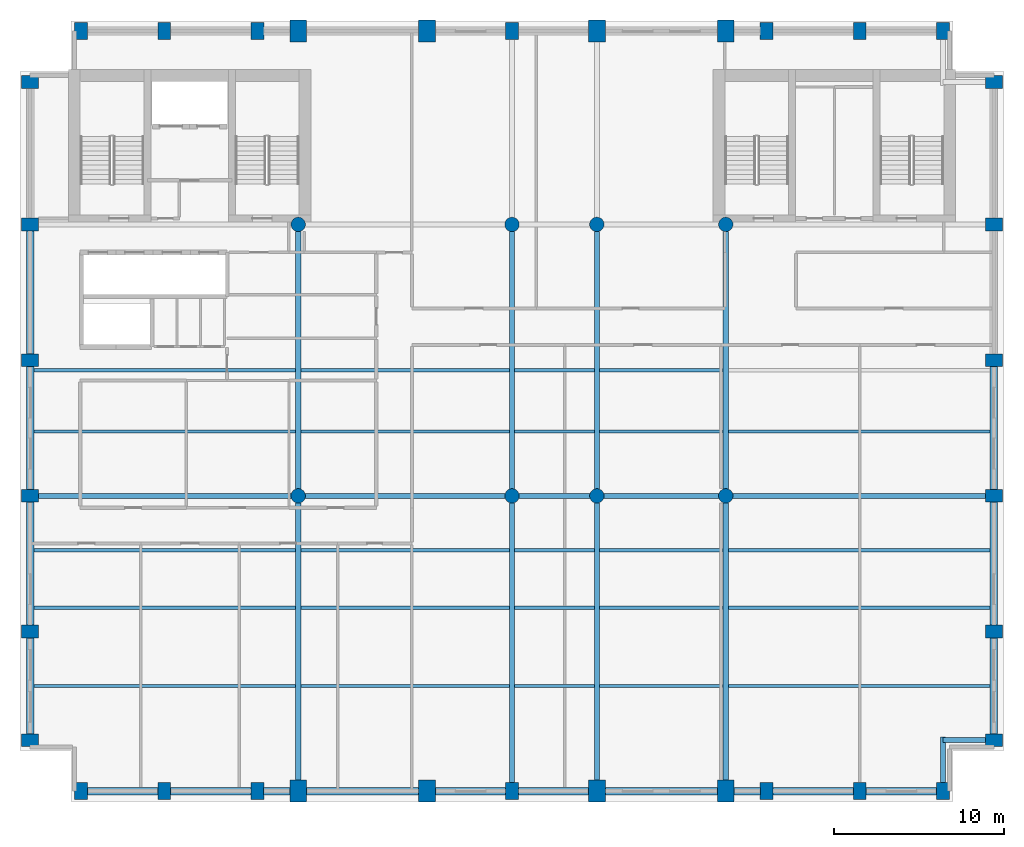
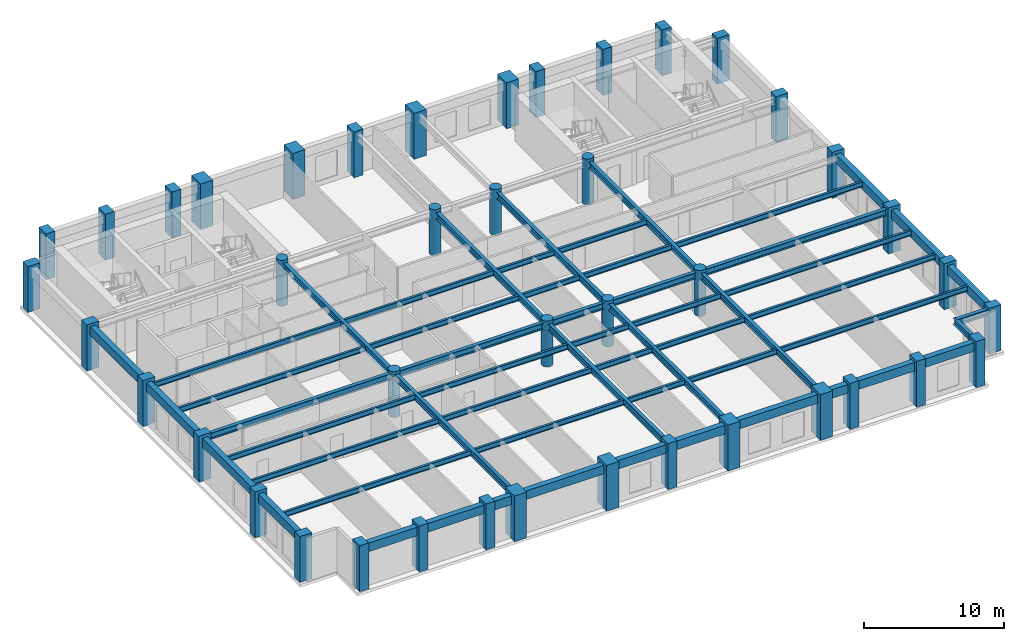
# One storey, part 1 of 8: 56 beams, 42 columns.
"""IFC4 building model written with IfcOpenShell, lengths in metres."""

from ifc_helpers import new_model, si_unit, direction, frame, origin, origin_2d, place, context, subcontext, project, spatial, rectangle, circle, i_section, extrude, material, material_profile, profile_set, type_object, element, save


model = new_model("IFC4")

# Units and contexts
model_context = context("Model", 3, precision=1e-05, world=origin(), true_north=direction((0.0, 1.0)))
body_context = subcontext(model_context, "Body", "Model", "MODEL_VIEW")
ifc_project = project(units=[si_unit("LENGTHUNIT", "METRE"), si_unit("AREAUNIT", "SQUARE_METRE"), si_unit("VOLUMEUNIT", "CUBIC_METRE"), si_unit("PLANEANGLEUNIT", "RADIAN"), si_unit("MASSUNIT", "GRAM", prefix="KILO")], contexts=[model_context])

# Site, building, storey
site_placement = place(None, origin())
site = spatial("IfcSite", under=ifc_project, at=site_placement, CompositionType="ELEMENT")
building_placement = place(site_placement, origin())
building = spatial("IfcBuilding", under=site, at=building_placement, Name="Sulina Concourse Tower", CompositionType="ELEMENT")
storey_placement = place(building_placement, frame((0.0, 0.0, 248.60009765625)))
storey = spatial("IfcBuildingStorey", under=building, at=storey_placement, Name="L60", CompositionType="ELEMENT", Elevation=248.60009765625)

# Columns
ifc_material_1 = material(Name="Precast concrete C50/60", Category="concrete")
ifc_material_profile_1 = material_profile(ifc_material_1, rectangle(XDim=0.75, YDim=1.0, at=origin_2d()), Name="PC 750x1000")
ifc_profile_set_1 = profile_set([ifc_material_profile_1], Name="Precast concrete C50/60")
column_type_1 = type_object("IfcColumnType", Name="Precast Tube Pier Zone 4 750x1000", PredefinedType="COLUMN", material=ifc_profile_set_1)
for number, where, z_axis, x_axis, name in (
    (1, (3.60009765625, 0.60009765625, 0.0), (0.0, 0.0, 1.0), (1.0, 0.0, 0.0), "L60 structural column TP-S-36"),
    (2, (3.60009765625, 45.39990234375, 0.0), (0.0, 0.0, 1.0), (1.0, 0.0, 0.0), "L60 structural column TP-N-36"),
    (3, (8.5, 0.60009765625, 0.0), (0.0, 0.0, 1.0), (1.0, 0.0, 0.0), "L60 structural column TP-S-85"),
    (4, (8.5, 45.39990234375, 0.0), (0.0, 0.0, 1.0), (1.0, 0.0, 0.0), "L60 structural column TP-N-85"),
    (5, (14.0, 0.60009765625, 0.0), (0.0, 0.0, 1.0), (1.0, 0.0, 0.0), "L60 structural column TP-S-140"),
    (6, (14.0, 45.39990234375, 0.0), (0.0, 0.0, 1.0), (1.0, 0.0, 0.0), "L60 structural column TP-N-140"),
    (7, (29.0, 0.60009765625, 0.0), (0.0, 0.0, 1.0), (1.0, 0.0, 0.0), "L60 structural column TP-S-290"),
    (8, (29.0, 45.39990234375, 0.0), (0.0, 0.0, 1.0), (1.0, 0.0, 0.0), "L60 structural column TP-N-290"),
    (9, (44.0, 0.60009765625, 0.0), (0.0, 0.0, 1.0), (1.0, 0.0, 0.0), "L60 structural column TP-S-440"),
    (10, (44.0, 45.39990234375, 0.0), (0.0, 0.0, 1.0), (1.0, 0.0, 0.0), "L60 structural column TP-N-440"),
    (11, (49.5, 0.60009765625, 0.0), (0.0, 0.0, 1.0), (1.0, 0.0, 0.0), "L60 structural column TP-S-495"),
    (12, (49.5, 45.39990234375, 0.0), (0.0, 0.0, 1.0), (1.0, 0.0, 0.0), "L60 structural column TP-N-495"),
    (13, (54.39990234375, 0.60009765625, 0.0), (0.0, 0.0, 1.0), (1.0, 0.0, 0.0), "L60 structural column TP-S-544"),
    (14, (54.39990234375, 45.39990234375, 0.0), (0.0, 0.0, 1.0), (1.0, 0.0, 0.0), "L60 structural column TP-N-544"),
    (15, (0.60009765625, 3.60009765625, 0.0), (0.0, 0.0, 1.0), (0.0, 1.0, 0.0), "L60 structural column TP-W-36"),
    (16, (57.39990234375, 3.60009765625, 0.0), (0.0, 0.0, 1.0), (0.0, 1.0, 0.0), "L60 structural column TP-E-36"),
    (17, (0.60009765625, 10.0, 0.0), (0.0, 0.0, 1.0), (0.0, 1.0, 0.0), "L60 structural column TP-W-100"),
    (18, (57.39990234375, 10.0, 0.0), (0.0, 0.0, 1.0), (0.0, 1.0, 0.0), "L60 structural column TP-E-100"),
    (19, (0.60009765625, 18.0, 0.0), (0.0, 0.0, 1.0), (0.0, 1.0, 0.0), "L60 structural column TP-W-180"),
    (20, (57.39990234375, 18.0, 0.0), (0.0, 0.0, 1.0), (0.0, 1.0, 0.0), "L60 structural column TP-E-180"),
    (21, (0.60009765625, 26.0, 0.0), (0.0, 0.0, 1.0), (0.0, 1.0, 0.0), "L60 structural column TP-W-260"),
    (22, (57.39990234375, 26.0, 0.0), (0.0, 0.0, 1.0), (0.0, 1.0, 0.0), "L60 structural column TP-E-260"),
    (23, (0.60009765625, 34.0, 0.0), (0.0, 0.0, 1.0), (0.0, 1.0, 0.0), "L60 structural column TP-W-340"),
    (24, (57.39990234375, 34.0, 0.0), (0.0, 0.0, 1.0), (0.0, 1.0, 0.0), "L60 structural column TP-E-340"),
    (25, (0.60009765625, 42.39990234375, 0.0), (0.0, 0.0, 1.0), (0.0, 1.0, 0.0), "L60 structural column TP-W-424"),
    (26, (57.39990234375, 42.39990234375, 0.0), (0.0, 0.0, 1.0), (0.0, 1.0, 0.0), "L60 structural column TP-E-424"),
):
    element("IfcColumn", number, at=place(storey_placement, frame(where, z_axis=z_axis, x_axis=x_axis)), inside=storey, type_object=column_type_1, Name=name, PredefinedType="COLUMN", context=body_context, shape_type="SweptSolid", body=[
        extrude(rectangle(XDim=0.75, YDim=1.0, at=origin_2d()), origin(), (0.0, 0.0, 1.0), 4.0),
    ])
ifc_material_2 = material(Name="Concrete C50/60", Category="concrete")
ifc_material_profile_2 = material_profile(ifc_material_2, circle(Radius=0.425048828125, at=origin_2d()), Name="RC D850")
ifc_profile_set_2 = profile_set([ifc_material_profile_2], Name="Concrete C50/60")
column_type_2 = type_object("IfcColumnType", Name="Upper Interior Circular Column D850", PredefinedType="COLUMN", material=ifc_profile_set_2)
for number, where, z_axis, x_axis, name in (
    (27, (16.39990234375, 18.0, 0.0), (0.0, 0.0, 1.0), (1.0, 0.0, 0.0), "L60 structural column IC-M-164"),
    (28, (16.39990234375, 34.0, 0.0), (0.0, 0.0, 1.0), (1.0, 0.0, 0.0), "L60 structural column IC-N-164"),
    (29, (29.0, 18.0, 0.0), (0.0, 0.0, 1.0), (1.0, 0.0, 0.0), "L60 structural column IC-M-290"),
    (30, (29.0, 34.0, 0.0), (0.0, 0.0, 1.0), (1.0, 0.0, 0.0), "L60 structural column IC-N-290"),
    (31, (41.60009765625, 18.0, 0.0), (0.0, 0.0, 1.0), (1.0, 0.0, 0.0), "L60 structural column IC-M-416"),
    (32, (41.60009765625, 34.0, 0.0), (0.0, 0.0, 1.0), (1.0, 0.0, 0.0), "L60 structural column IC-N-416"),
    (33, (34.0, 18.0, 0.0), (0.0, 0.0, 1.0), (1.0, 0.0, 0.0), "L60 structural column IC-M-340"),
    (34, (34.0, 34.0, 0.0), (0.0, 0.0, 1.0), (1.0, 0.0, 0.0), "L60 structural column IC-N-340"),
):
    element("IfcColumn", number, at=place(storey_placement, frame(where, z_axis=z_axis, x_axis=x_axis)), inside=storey, type_object=column_type_2, Name=name, PredefinedType="COLUMN", context=body_context, shape_type="SweptSolid", body=[
        extrude(circle(Radius=0.425048828125, at=origin_2d()), origin(), (0.0, 0.0, 1.0), 4.0),
    ])
ifc_material_3 = material(Name="Concrete C60/75", Category="concrete")
ifc_material_profile_3 = material_profile(ifc_material_3, rectangle(XDim=1.0, YDim=1.300048828125, at=origin_2d()), Name="RC 1000x1300")
ifc_profile_set_3 = profile_set([ifc_material_profile_3], Name="Concrete C60/75")
column_type_3 = type_object("IfcColumnType", Name="Upper Portal Column 1000x1300", PredefinedType="COLUMN", material=ifc_profile_set_3)
for number, where, z_axis, x_axis, name in (
    (35, (16.39990234375, 0.60009765625, 0.0), (0.0, 0.0, 1.0), (1.0, 0.0, 0.0), "L60 structural column TP-S-164"),
    (36, (16.39990234375, 45.39990234375, 0.0), (0.0, 0.0, 1.0), (1.0, 0.0, 0.0), "L60 structural column TP-N-164"),
    (37, (24.0, 0.60009765625, 0.0), (0.0, 0.0, 1.0), (1.0, 0.0, 0.0), "L60 structural column TP-S-240"),
    (38, (24.0, 45.39990234375, 0.0), (0.0, 0.0, 1.0), (1.0, 0.0, 0.0), "L60 structural column TP-N-240"),
    (39, (34.0, 0.60009765625, 0.0), (0.0, 0.0, 1.0), (1.0, 0.0, 0.0), "L60 structural column TP-S-340"),
    (40, (34.0, 45.39990234375, 0.0), (0.0, 0.0, 1.0), (1.0, 0.0, 0.0), "L60 structural column TP-N-340"),
    (41, (41.60009765625, 0.60009765625, 0.0), (0.0, 0.0, 1.0), (1.0, 0.0, 0.0), "L60 structural column TP-S-416"),
    (42, (41.60009765625, 45.39990234375, 0.0), (0.0, 0.0, 1.0), (1.0, 0.0, 0.0), "L60 structural column TP-N-416"),
):
    element("IfcColumn", number, at=place(storey_placement, frame(where, z_axis=z_axis, x_axis=x_axis)), inside=storey, type_object=column_type_3, Name=name, PredefinedType="COLUMN", context=body_context, shape_type="SweptSolid", body=[
        extrude(rectangle(XDim=1.0, YDim=1.300048828125, at=origin_2d()), origin(), (0.0, 0.0, 1.0), 4.0),
    ])

# Beams
ifc_material_4 = material(Name="Steel S355", Category="steel")
ifc_material_profile_4 = material_profile(ifc_material_4, i_section(OverallWidth=0.18994140625, OverallDepth=0.449951171875, WebThickness=0.009521484375, FlangeThickness=0.0146484375, at=origin_2d()), Name="IPE 450")
ifc_profile_set_4 = profile_set([ifc_material_profile_4], Name="Steel S355")
beam_type_1 = type_object("IfcBeamType", Name="Composite Floor Joist IPE450", PredefinedType="JOIST", material=ifc_profile_set_4)
beam_1_placement = place(storey_placement, frame((0.824951171875, 6.800048828125, 3.52490234375), z_axis=(1.0, 0.0, 0.0), x_axis=(0.0, 1.0, 0.0)))
element("IfcBeam", 43, at=beam_1_placement, inside=storey, type_object=beam_type_1, Name="FJ-J06-1-L60", PredefinedType="JOIST", context=body_context, shape_type="SweptSolid", body=[
    extrude(i_section(OverallWidth=0.18994140625, OverallDepth=0.449951171875, WebThickness=0.009521484375, FlangeThickness=0.0146484375, at=origin_2d()), origin(), (0.0, 0.0, 1.0), 15.425048828125),
])
beam_2_placement = place(storey_placement, frame((16.550048828125, 6.800048828125, 3.52490234375), z_axis=(1.0, 0.0, 0.0), x_axis=(0.0, 1.0, 0.0)))
element("IfcBeam", 44, at=beam_2_placement, inside=storey, type_object=beam_type_1, Name="FJ-J06-2-L60", PredefinedType="JOIST", context=body_context, shape_type="SweptSolid", body=[
    extrude(i_section(OverallWidth=0.18994140625, OverallDepth=0.449951171875, WebThickness=0.009521484375, FlangeThickness=0.0146484375, at=origin_2d()), origin(), (0.0, 0.0, 1.0), 12.300048828125),
])
beam_3_placement = place(storey_placement, frame((29.14990234375, 6.800048828125, 3.52490234375), z_axis=(1.0, 0.0, 0.0), x_axis=(0.0, 1.0, 0.0)))
element("IfcBeam", 45, at=beam_3_placement, inside=storey, type_object=beam_type_1, Name="FJ-J06-3-L60", PredefinedType="JOIST", context=body_context, shape_type="SweptSolid", body=[
    extrude(i_section(OverallWidth=0.18994140625, OverallDepth=0.449951171875, WebThickness=0.009521484375, FlangeThickness=0.0146484375, at=origin_2d()), origin(), (0.0, 0.0, 1.0), 4.7001953125),
])
beam_4_placement = place(storey_placement, frame((34.14990234375, 6.800048828125, 3.52490234375), z_axis=(1.0, 0.0, 0.0), x_axis=(0.0, 1.0, 0.0)))
element("IfcBeam", 46, at=beam_4_placement, inside=storey, type_object=beam_type_1, Name="FJ-J06-4-L60", PredefinedType="JOIST", context=body_context, shape_type="SweptSolid", body=[
    extrude(i_section(OverallWidth=0.18994140625, OverallDepth=0.449951171875, WebThickness=0.009521484375, FlangeThickness=0.0146484375, at=origin_2d()), origin(), (0.0, 0.0, 1.0), 7.300048828125),
])
for number, where, z_axis, x_axis, name in (
    (47, (41.75, 6.800048828125, 3.52490234375), (1.0, 0.0, 0.0), (0.0, 1.0, 0.0), "FJ-J06-5-L60"),
    (48, (0.824951171875, 11.39990234375, 3.52490234375), (1.0, 0.0, 0.0), (0.0, 1.0, 0.0), "FJ-J11-1-L60"),
):
    element("IfcBeam", number, at=place(storey_placement, frame(where, z_axis=z_axis, x_axis=x_axis)), inside=storey, type_object=beam_type_1, Name=name, PredefinedType="JOIST", context=body_context, shape_type="SweptSolid", body=[
        extrude(i_section(OverallWidth=0.18994140625, OverallDepth=0.449951171875, WebThickness=0.009521484375, FlangeThickness=0.0146484375, at=origin_2d()), origin(), (0.0, 0.0, 1.0), 15.425048828125),
    ])
beam_5_placement = place(storey_placement, frame((16.550048828125, 11.39990234375, 3.52490234375), z_axis=(1.0, 0.0, 0.0), x_axis=(0.0, 1.0, 0.0)))
element("IfcBeam", 49, at=beam_5_placement, inside=storey, type_object=beam_type_1, Name="FJ-J11-2-L60", PredefinedType="JOIST", context=body_context, shape_type="SweptSolid", body=[
    extrude(i_section(OverallWidth=0.18994140625, OverallDepth=0.449951171875, WebThickness=0.009521484375, FlangeThickness=0.0146484375, at=origin_2d()), origin(), (0.0, 0.0, 1.0), 12.300048828125),
])
beam_6_placement = place(storey_placement, frame((29.14990234375, 11.39990234375, 3.52490234375), z_axis=(1.0, 0.0, 0.0), x_axis=(0.0, 1.0, 0.0)))
element("IfcBeam", 50, at=beam_6_placement, inside=storey, type_object=beam_type_1, Name="FJ-J11-3-L60", PredefinedType="JOIST", context=body_context, shape_type="SweptSolid", body=[
    extrude(i_section(OverallWidth=0.18994140625, OverallDepth=0.449951171875, WebThickness=0.009521484375, FlangeThickness=0.0146484375, at=origin_2d()), origin(), (0.0, 0.0, 1.0), 4.7001953125),
])
beam_7_placement = place(storey_placement, frame((34.14990234375, 11.39990234375, 3.52490234375), z_axis=(1.0, 0.0, 0.0), x_axis=(0.0, 1.0, 0.0)))
element("IfcBeam", 51, at=beam_7_placement, inside=storey, type_object=beam_type_1, Name="FJ-J11-4-L60", PredefinedType="JOIST", context=body_context, shape_type="SweptSolid", body=[
    extrude(i_section(OverallWidth=0.18994140625, OverallDepth=0.449951171875, WebThickness=0.009521484375, FlangeThickness=0.0146484375, at=origin_2d()), origin(), (0.0, 0.0, 1.0), 7.300048828125),
])
for number, where, z_axis, x_axis, name in (
    (52, (41.75, 11.39990234375, 3.52490234375), (1.0, 0.0, 0.0), (0.0, 1.0, 0.0), "FJ-J11-5-L60"),
    (53, (0.824951171875, 14.800048828125, 3.52490234375), (1.0, 0.0, 0.0), (0.0, 1.0, 0.0), "FJ-J15-1-L60"),
):
    element("IfcBeam", number, at=place(storey_placement, frame(where, z_axis=z_axis, x_axis=x_axis)), inside=storey, type_object=beam_type_1, Name=name, PredefinedType="JOIST", context=body_context, shape_type="SweptSolid", body=[
        extrude(i_section(OverallWidth=0.18994140625, OverallDepth=0.449951171875, WebThickness=0.009521484375, FlangeThickness=0.0146484375, at=origin_2d()), origin(), (0.0, 0.0, 1.0), 15.425048828125),
    ])
beam_8_placement = place(storey_placement, frame((16.550048828125, 14.800048828125, 3.52490234375), z_axis=(1.0, 0.0, 0.0), x_axis=(0.0, 1.0, 0.0)))
element("IfcBeam", 54, at=beam_8_placement, inside=storey, type_object=beam_type_1, Name="FJ-J15-2-L60", PredefinedType="JOIST", context=body_context, shape_type="SweptSolid", body=[
    extrude(i_section(OverallWidth=0.18994140625, OverallDepth=0.449951171875, WebThickness=0.009521484375, FlangeThickness=0.0146484375, at=origin_2d()), origin(), (0.0, 0.0, 1.0), 12.300048828125),
])
beam_9_placement = place(storey_placement, frame((29.14990234375, 14.800048828125, 3.52490234375), z_axis=(1.0, 0.0, 0.0), x_axis=(0.0, 1.0, 0.0)))
element("IfcBeam", 55, at=beam_9_placement, inside=storey, type_object=beam_type_1, Name="FJ-J15-3-L60", PredefinedType="JOIST", context=body_context, shape_type="SweptSolid", body=[
    extrude(i_section(OverallWidth=0.18994140625, OverallDepth=0.449951171875, WebThickness=0.009521484375, FlangeThickness=0.0146484375, at=origin_2d()), origin(), (0.0, 0.0, 1.0), 4.7001953125),
])
beam_10_placement = place(storey_placement, frame((34.14990234375, 14.800048828125, 3.52490234375), z_axis=(1.0, 0.0, 0.0), x_axis=(0.0, 1.0, 0.0)))
element("IfcBeam", 56, at=beam_10_placement, inside=storey, type_object=beam_type_1, Name="FJ-J15-4-L60", PredefinedType="JOIST", context=body_context, shape_type="SweptSolid", body=[
    extrude(i_section(OverallWidth=0.18994140625, OverallDepth=0.449951171875, WebThickness=0.009521484375, FlangeThickness=0.0146484375, at=origin_2d()), origin(), (0.0, 0.0, 1.0), 7.300048828125),
])
for number, where, z_axis, x_axis, name in (
    (57, (41.75, 14.800048828125, 3.52490234375), (1.0, 0.0, 0.0), (0.0, 1.0, 0.0), "FJ-J15-5-L60"),
    (58, (0.824951171875, 21.800048828125, 3.52490234375), (1.0, 0.0, 0.0), (0.0, 1.0, 0.0), "FJ-J22-1-L60"),
):
    element("IfcBeam", number, at=place(storey_placement, frame(where, z_axis=z_axis, x_axis=x_axis)), inside=storey, type_object=beam_type_1, Name=name, PredefinedType="JOIST", context=body_context, shape_type="SweptSolid", body=[
        extrude(i_section(OverallWidth=0.18994140625, OverallDepth=0.449951171875, WebThickness=0.009521484375, FlangeThickness=0.0146484375, at=origin_2d()), origin(), (0.0, 0.0, 1.0), 15.425048828125),
    ])
beam_11_placement = place(storey_placement, frame((16.550048828125, 21.800048828125, 3.52490234375), z_axis=(1.0, 0.0, 0.0), x_axis=(0.0, 1.0, 0.0)))
element("IfcBeam", 59, at=beam_11_placement, inside=storey, type_object=beam_type_1, Name="FJ-J22-2-L60", PredefinedType="JOIST", context=body_context, shape_type="SweptSolid", body=[
    extrude(i_section(OverallWidth=0.18994140625, OverallDepth=0.449951171875, WebThickness=0.009521484375, FlangeThickness=0.0146484375, at=origin_2d()), origin(), (0.0, 0.0, 1.0), 12.300048828125),
])
beam_12_placement = place(storey_placement, frame((29.14990234375, 21.800048828125, 3.52490234375), z_axis=(1.0, 0.0, 0.0), x_axis=(0.0, 1.0, 0.0)))
element("IfcBeam", 60, at=beam_12_placement, inside=storey, type_object=beam_type_1, Name="FJ-J22-3-L60", PredefinedType="JOIST", context=body_context, shape_type="SweptSolid", body=[
    extrude(i_section(OverallWidth=0.18994140625, OverallDepth=0.449951171875, WebThickness=0.009521484375, FlangeThickness=0.0146484375, at=origin_2d()), origin(), (0.0, 0.0, 1.0), 4.7001953125),
])
beam_13_placement = place(storey_placement, frame((34.14990234375, 21.800048828125, 3.52490234375), z_axis=(1.0, 0.0, 0.0), x_axis=(0.0, 1.0, 0.0)))
element("IfcBeam", 61, at=beam_13_placement, inside=storey, type_object=beam_type_1, Name="FJ-J22-4-L60", PredefinedType="JOIST", context=body_context, shape_type="SweptSolid", body=[
    extrude(i_section(OverallWidth=0.18994140625, OverallDepth=0.449951171875, WebThickness=0.009521484375, FlangeThickness=0.0146484375, at=origin_2d()), origin(), (0.0, 0.0, 1.0), 7.300048828125),
])
for number, where, z_axis, x_axis, name in (
    (62, (41.75, 21.800048828125, 3.52490234375), (1.0, 0.0, 0.0), (0.0, 1.0, 0.0), "FJ-J22-5-L60"),
    (63, (0.824951171875, 25.39990234375, 3.52490234375), (1.0, 0.0, 0.0), (0.0, 1.0, 0.0), "FJ-J25-1-L60"),
):
    element("IfcBeam", number, at=place(storey_placement, frame(where, z_axis=z_axis, x_axis=x_axis)), inside=storey, type_object=beam_type_1, Name=name, PredefinedType="JOIST", context=body_context, shape_type="SweptSolid", body=[
        extrude(i_section(OverallWidth=0.18994140625, OverallDepth=0.449951171875, WebThickness=0.009521484375, FlangeThickness=0.0146484375, at=origin_2d()), origin(), (0.0, 0.0, 1.0), 15.425048828125),
    ])
beam_14_placement = place(storey_placement, frame((16.550048828125, 25.39990234375, 3.52490234375), z_axis=(1.0, 0.0, 0.0), x_axis=(0.0, 1.0, 0.0)))
element("IfcBeam", 64, at=beam_14_placement, inside=storey, type_object=beam_type_1, Name="FJ-J25-2-L60", PredefinedType="JOIST", context=body_context, shape_type="SweptSolid", body=[
    extrude(i_section(OverallWidth=0.18994140625, OverallDepth=0.449951171875, WebThickness=0.009521484375, FlangeThickness=0.0146484375, at=origin_2d()), origin(), (0.0, 0.0, 1.0), 12.300048828125),
])
beam_15_placement = place(storey_placement, frame((29.14990234375, 25.39990234375, 3.52490234375), z_axis=(1.0, 0.0, 0.0), x_axis=(0.0, 1.0, 0.0)))
element("IfcBeam", 65, at=beam_15_placement, inside=storey, type_object=beam_type_1, Name="FJ-J25-3-L60", PredefinedType="JOIST", context=body_context, shape_type="SweptSolid", body=[
    extrude(i_section(OverallWidth=0.18994140625, OverallDepth=0.449951171875, WebThickness=0.009521484375, FlangeThickness=0.0146484375, at=origin_2d()), origin(), (0.0, 0.0, 1.0), 4.7001953125),
])
beam_16_placement = place(storey_placement, frame((34.14990234375, 25.39990234375, 3.52490234375), z_axis=(1.0, 0.0, 0.0), x_axis=(0.0, 1.0, 0.0)))
element("IfcBeam", 66, at=beam_16_placement, inside=storey, type_object=beam_type_1, Name="FJ-J25-4-L60", PredefinedType="JOIST", context=body_context, shape_type="SweptSolid", body=[
    extrude(i_section(OverallWidth=0.18994140625, OverallDepth=0.449951171875, WebThickness=0.009521484375, FlangeThickness=0.0146484375, at=origin_2d()), origin(), (0.0, 0.0, 1.0), 7.300048828125),
])
ifc_material_5 = material(Name="Steel S355", Category="steel")
ifc_material_profile_5 = material_profile(ifc_material_5, i_section(OverallWidth=0.300048828125, OverallDepth=0.550048828125, WebThickness=0.014892578125, FlangeThickness=0.029052734375, at=origin_2d()), Name="HE 550 B")
ifc_profile_set_5 = profile_set([ifc_material_profile_5], Name="Steel S355")
beam_type_2 = type_object("IfcBeamType", Name="Floor Primary Girder Zone 4 HE550B", PredefinedType="BEAM", material=ifc_profile_set_5)
beam_17_placement = place(storey_placement, frame((54.39990234375, 3.60009765625, 3.474853515625), z_axis=(1.0, 0.0, 0.0), x_axis=(0.0, 1.0, 0.0)))
element("IfcBeam", 67, at=beam_17_placement, inside=storey, type_object=beam_type_2, Name="TIE-SE-L60", PredefinedType="BEAM", context=body_context, shape_type="SweptSolid", body=[
    extrude(i_section(OverallWidth=0.300048828125, OverallDepth=0.550048828125, WebThickness=0.014892578125, FlangeThickness=0.029052734375, at=origin_2d()), origin(), (0.0, 0.0, 1.0), 2.64501953125),
])
beam_18_placement = place(storey_placement, frame((54.39990234375, 0.955078125, 3.474853515625), z_axis=(0.0, 1.0, 0.0), x_axis=(-1.0, 0.0, 0.0)))
element("IfcBeam", 68, at=beam_18_placement, inside=storey, type_object=beam_type_2, Name="TIE-SES-L60", PredefinedType="BEAM", context=body_context, shape_type="SweptSolid", body=[
    extrude(i_section(OverallWidth=0.300048828125, OverallDepth=0.550048828125, WebThickness=0.014892578125, FlangeThickness=0.029052734375, at=origin_2d()), origin(), (0.0, 0.0, 1.0), 2.844970703125),
])
beam_19_placement = place(storey_placement, frame((0.955078125, 18.0, 3.474853515625), z_axis=(1.0, 0.0, 0.0), x_axis=(0.0, 1.0, 0.0)))
element("IfcBeam", 69, at=beam_19_placement, inside=storey, type_object=beam_type_2, Name="FG-EW1-L60", PredefinedType="BEAM", context=body_context, shape_type="SweptSolid", body=[
    extrude(i_section(OverallWidth=0.300048828125, OverallDepth=0.550048828125, WebThickness=0.014892578125, FlangeThickness=0.029052734375, at=origin_2d()), origin(), (0.0, 0.0, 1.0), 15.0400390625),
])
beam_20_placement = place(storey_placement, frame((16.804931640625, 18.0, 3.474853515625), z_axis=(1.0, 0.0, 0.0), x_axis=(0.0, 1.0, 0.0)))
element("IfcBeam", 70, at=beam_20_placement, inside=storey, type_object=beam_type_2, Name="FG-EW2-L60", PredefinedType="BEAM", context=body_context, shape_type="SweptSolid", body=[
    extrude(i_section(OverallWidth=0.300048828125, OverallDepth=0.550048828125, WebThickness=0.014892578125, FlangeThickness=0.029052734375, at=origin_2d()), origin(), (0.0, 0.0, 1.0), 11.7900390625),
])
beam_21_placement = place(storey_placement, frame((29.405029296875, 18.0, 3.474853515625), z_axis=(1.0, 0.0, 0.0), x_axis=(0.0, 1.0, 0.0)))
element("IfcBeam", 71, at=beam_21_placement, inside=storey, type_object=beam_type_2, Name="FG-EW3-L60", PredefinedType="BEAM", context=body_context, shape_type="SweptSolid", body=[
    extrude(i_section(OverallWidth=0.300048828125, OverallDepth=0.550048828125, WebThickness=0.014892578125, FlangeThickness=0.029052734375, at=origin_2d()), origin(), (0.0, 0.0, 1.0), 4.18994140625),
])
beam_22_placement = place(storey_placement, frame((34.405029296875, 18.0, 3.474853515625), z_axis=(1.0, 0.0, 0.0), x_axis=(0.0, 1.0, 0.0)))
element("IfcBeam", 72, at=beam_22_placement, inside=storey, type_object=beam_type_2, Name="FG-EW4-L60", PredefinedType="BEAM", context=body_context, shape_type="SweptSolid", body=[
    extrude(i_section(OverallWidth=0.300048828125, OverallDepth=0.550048828125, WebThickness=0.014892578125, FlangeThickness=0.029052734375, at=origin_2d()), origin(), (0.0, 0.0, 1.0), 6.7900390625),
])
beam_23_placement = place(storey_placement, frame((42.0048828125, 18.0, 3.474853515625), z_axis=(1.0, 0.0, 0.0), x_axis=(0.0, 1.0, 0.0)))
element("IfcBeam", 73, at=beam_23_placement, inside=storey, type_object=beam_type_2, Name="FG-EW5-L60", PredefinedType="BEAM", context=body_context, shape_type="SweptSolid", body=[
    extrude(i_section(OverallWidth=0.300048828125, OverallDepth=0.550048828125, WebThickness=0.014892578125, FlangeThickness=0.029052734375, at=origin_2d()), origin(), (0.0, 0.0, 1.0), 15.0400390625),
])
beam_24_placement = place(storey_placement, frame((16.39990234375, 1.080078125, 3.474853515625), z_axis=(0.0, 1.0, 0.0), x_axis=(-1.0, 0.0, 0.0)))
element("IfcBeam", 74, at=beam_24_placement, inside=storey, type_object=beam_type_2, Name="FG-NSA-16-L60", PredefinedType="BEAM", context=body_context, shape_type="SweptSolid", body=[
    extrude(i_section(OverallWidth=0.300048828125, OverallDepth=0.550048828125, WebThickness=0.014892578125, FlangeThickness=0.029052734375, at=origin_2d()), origin(), (0.0, 0.0, 1.0), 16.514892578125),
])
beam_25_placement = place(storey_placement, frame((16.39990234375, 18.405029296875, 3.474853515625), z_axis=(0.0, 1.0, 0.0), x_axis=(-1.0, 0.0, 0.0)))
element("IfcBeam", 75, at=beam_25_placement, inside=storey, type_object=beam_type_2, Name="FG-NSB-16-L60", PredefinedType="BEAM", context=body_context, shape_type="SweptSolid", body=[
    extrude(i_section(OverallWidth=0.300048828125, OverallDepth=0.550048828125, WebThickness=0.014892578125, FlangeThickness=0.029052734375, at=origin_2d()), origin(), (0.0, 0.0, 1.0), 15.18994140625),
])
beam_26_placement = place(storey_placement, frame((29.0, 0.955078125, 3.474853515625), z_axis=(0.0, 1.0, 0.0), x_axis=(-1.0, 0.0, 0.0)))
element("IfcBeam", 76, at=beam_26_placement, inside=storey, type_object=beam_type_2, Name="FG-NSA-29-L60", PredefinedType="BEAM", context=body_context, shape_type="SweptSolid", body=[
    extrude(i_section(OverallWidth=0.300048828125, OverallDepth=0.550048828125, WebThickness=0.014892578125, FlangeThickness=0.029052734375, at=origin_2d()), origin(), (0.0, 0.0, 1.0), 16.639892578125),
])
beam_27_placement = place(storey_placement, frame((29.0, 18.405029296875, 3.474853515625), z_axis=(0.0, 1.0, 0.0), x_axis=(-1.0, 0.0, 0.0)))
element("IfcBeam", 77, at=beam_27_placement, inside=storey, type_object=beam_type_2, Name="FG-NSB-29-L60", PredefinedType="BEAM", context=body_context, shape_type="SweptSolid", body=[
    extrude(i_section(OverallWidth=0.300048828125, OverallDepth=0.550048828125, WebThickness=0.014892578125, FlangeThickness=0.029052734375, at=origin_2d()), origin(), (0.0, 0.0, 1.0), 15.18994140625),
])
beam_28_placement = place(storey_placement, frame((34.0, 1.080078125, 3.474853515625), z_axis=(0.0, 1.0, 0.0), x_axis=(-1.0, 0.0, 0.0)))
element("IfcBeam", 78, at=beam_28_placement, inside=storey, type_object=beam_type_2, Name="FG-NSA-34-L60", PredefinedType="BEAM", context=body_context, shape_type="SweptSolid", body=[
    extrude(i_section(OverallWidth=0.300048828125, OverallDepth=0.550048828125, WebThickness=0.014892578125, FlangeThickness=0.029052734375, at=origin_2d()), origin(), (0.0, 0.0, 1.0), 16.514892578125),
])
beam_29_placement = place(storey_placement, frame((34.0, 18.405029296875, 3.474853515625), z_axis=(0.0, 1.0, 0.0), x_axis=(-1.0, 0.0, 0.0)))
element("IfcBeam", 79, at=beam_29_placement, inside=storey, type_object=beam_type_2, Name="FG-NSB-34-L60", PredefinedType="BEAM", context=body_context, shape_type="SweptSolid", body=[
    extrude(i_section(OverallWidth=0.300048828125, OverallDepth=0.550048828125, WebThickness=0.014892578125, FlangeThickness=0.029052734375, at=origin_2d()), origin(), (0.0, 0.0, 1.0), 15.18994140625),
])
beam_30_placement = place(storey_placement, frame((41.60009765625, 1.080078125, 3.474853515625), z_axis=(0.0, 1.0, 0.0), x_axis=(-1.0, 0.0, 0.0)))
element("IfcBeam", 80, at=beam_30_placement, inside=storey, type_object=beam_type_2, Name="FG-NSA-41-L60", PredefinedType="BEAM", context=body_context, shape_type="SweptSolid", body=[
    extrude(i_section(OverallWidth=0.300048828125, OverallDepth=0.550048828125, WebThickness=0.014892578125, FlangeThickness=0.029052734375, at=origin_2d()), origin(), (0.0, 0.0, 1.0), 16.514892578125),
])
beam_31_placement = place(storey_placement, frame((41.60009765625, 18.405029296875, 3.474853515625), z_axis=(0.0, 1.0, 0.0), x_axis=(-1.0, 0.0, 0.0)))
element("IfcBeam", 81, at=beam_31_placement, inside=storey, type_object=beam_type_2, Name="FG-NSB-41-L60", PredefinedType="BEAM", context=body_context, shape_type="SweptSolid", body=[
    extrude(i_section(OverallWidth=0.300048828125, OverallDepth=0.550048828125, WebThickness=0.014892578125, FlangeThickness=0.029052734375, at=origin_2d()), origin(), (0.0, 0.0, 1.0), 15.18994140625),
])
ifc_material_6 = material(Name="Precast concrete C50/60", Category="concrete")
ifc_material_profile_6 = material_profile(ifc_material_6, rectangle(XDim=0.449951171875, YDim=0.75, at=origin_2d()), Name="RC 450x750")
ifc_profile_set_6 = profile_set([ifc_material_profile_6], Name="Precast concrete C50/60")
beam_type_3 = type_object("IfcBeamType", Name="Upper Precast Spandrel Edge Beam 450x750", PredefinedType="BEAM", material=ifc_profile_set_6)
beam_32_placement = place(storey_placement, frame((3.955078125, 0.60009765625, 3.375), z_axis=(1.0, 0.0, 0.0), x_axis=(0.0, 1.0, 0.0)))
element("IfcBeam", 82, at=beam_32_placement, inside=storey, type_object=beam_type_3, Name="SP-S1-L60", PredefinedType="BEAM", context=body_context, shape_type="SweptSolid", body=[
    extrude(rectangle(XDim=0.449951171875, YDim=0.75, at=origin_2d()), origin(), (0.0, 0.0, 1.0), 4.18994140625),
])
beam_33_placement = place(storey_placement, frame((8.85498046875, 0.60009765625, 3.375), z_axis=(1.0, 0.0, 0.0), x_axis=(0.0, 1.0, 0.0)))
element("IfcBeam", 83, at=beam_33_placement, inside=storey, type_object=beam_type_3, Name="SP-S2-L60", PredefinedType="BEAM", context=body_context, shape_type="SweptSolid", body=[
    extrude(rectangle(XDim=0.449951171875, YDim=0.75, at=origin_2d()), origin(), (0.0, 0.0, 1.0), 4.7900390625),
])
beam_34_placement = place(storey_placement, frame((14.35498046875, 0.60009765625, 3.375), z_axis=(1.0, 0.0, 0.0), x_axis=(0.0, 1.0, 0.0)))
element("IfcBeam", 84, at=beam_34_placement, inside=storey, type_object=beam_type_3, Name="SP-S3-L60", PredefinedType="BEAM", context=body_context, shape_type="SweptSolid", body=[
    extrude(rectangle(XDim=0.449951171875, YDim=0.75, at=origin_2d()), origin(), (0.0, 0.0, 1.0), 1.56494140625),
])
beam_35_placement = place(storey_placement, frame((16.8798828125, 0.60009765625, 3.375), z_axis=(1.0, 0.0, 0.0), x_axis=(0.0, 1.0, 0.0)))
element("IfcBeam", 85, at=beam_35_placement, inside=storey, type_object=beam_type_3, Name="SP-S4-L60", PredefinedType="BEAM", context=body_context, shape_type="SweptSolid", body=[
    extrude(rectangle(XDim=0.449951171875, YDim=0.75, at=origin_2d()), origin(), (0.0, 0.0, 1.0), 6.64013671875),
])
for number, where, z_axis, x_axis, name in (
    (86, (24.47998046875, 0.60009765625, 3.375), (1.0, 0.0, 0.0), (0.0, 1.0, 0.0), "SP-S5-L60"),
    (87, (29.35498046875, 0.60009765625, 3.375), (1.0, 0.0, 0.0), (0.0, 1.0, 0.0), "SP-S6-L60"),
):
    element("IfcBeam", number, at=place(storey_placement, frame(where, z_axis=z_axis, x_axis=x_axis)), inside=storey, type_object=beam_type_3, Name=name, PredefinedType="BEAM", context=body_context, shape_type="SweptSolid", body=[
        extrude(rectangle(XDim=0.449951171875, YDim=0.75, at=origin_2d()), origin(), (0.0, 0.0, 1.0), 4.1650390625),
    ])
beam_36_placement = place(storey_placement, frame((34.47998046875, 0.60009765625, 3.375), z_axis=(1.0, 0.0, 0.0), x_axis=(0.0, 1.0, 0.0)))
element("IfcBeam", 88, at=beam_36_placement, inside=storey, type_object=beam_type_3, Name="SP-S7-L60", PredefinedType="BEAM", context=body_context, shape_type="SweptSolid", body=[
    extrude(rectangle(XDim=0.449951171875, YDim=0.75, at=origin_2d()), origin(), (0.0, 0.0, 1.0), 6.64013671875),
])
beam_37_placement = place(storey_placement, frame((42.080078125, 0.60009765625, 3.375), z_axis=(1.0, 0.0, 0.0), x_axis=(0.0, 1.0, 0.0)))
element("IfcBeam", 89, at=beam_37_placement, inside=storey, type_object=beam_type_3, Name="SP-S8-L60", PredefinedType="BEAM", context=body_context, shape_type="SweptSolid", body=[
    extrude(rectangle(XDim=0.449951171875, YDim=0.75, at=origin_2d()), origin(), (0.0, 0.0, 1.0), 1.56494140625),
])
beam_38_placement = place(storey_placement, frame((44.35498046875, 0.60009765625, 3.375), z_axis=(1.0, 0.0, 0.0), x_axis=(0.0, 1.0, 0.0)))
element("IfcBeam", 90, at=beam_38_placement, inside=storey, type_object=beam_type_3, Name="SP-S9-L60", PredefinedType="BEAM", context=body_context, shape_type="SweptSolid", body=[
    extrude(rectangle(XDim=0.449951171875, YDim=0.75, at=origin_2d()), origin(), (0.0, 0.0, 1.0), 4.7900390625),
])
beam_39_placement = place(storey_placement, frame((49.85498046875, 0.60009765625, 3.375), z_axis=(1.0, 0.0, 0.0), x_axis=(0.0, 1.0, 0.0)))
element("IfcBeam", 91, at=beam_39_placement, inside=storey, type_object=beam_type_3, Name="SP-S10-L60", PredefinedType="BEAM", context=body_context, shape_type="SweptSolid", body=[
    extrude(rectangle(XDim=0.449951171875, YDim=0.75, at=origin_2d()), origin(), (0.0, 0.0, 1.0), 4.18994140625),
])
beam_40_placement = place(storey_placement, frame((0.60009765625, 3.955078125, 3.375), z_axis=(0.0, 1.0, 0.0), x_axis=(-1.0, 0.0, 0.0)))
element("IfcBeam", 92, at=beam_40_placement, inside=storey, type_object=beam_type_3, Name="SP-W1-L60", PredefinedType="BEAM", context=body_context, shape_type="SweptSolid", body=[
    extrude(rectangle(XDim=0.449951171875, YDim=0.75, at=origin_2d()), origin(), (0.0, 0.0, 1.0), 5.68994140625),
])
for number, where, z_axis, x_axis, name in (
    (93, (0.60009765625, 10.35498046875, 3.375), (0.0, 1.0, 0.0), (-1.0, 0.0, 0.0), "SP-W2-L60"),
    (94, (0.60009765625, 18.35498046875, 3.375), (0.0, 1.0, 0.0), (-1.0, 0.0, 0.0), "SP-W3-L60"),
    (95, (0.60009765625, 26.35498046875, 3.375), (0.0, 1.0, 0.0), (-1.0, 0.0, 0.0), "SP-W4-L60"),
):
    element("IfcBeam", number, at=place(storey_placement, frame(where, z_axis=z_axis, x_axis=x_axis)), inside=storey, type_object=beam_type_3, Name=name, PredefinedType="BEAM", context=body_context, shape_type="SweptSolid", body=[
        extrude(rectangle(XDim=0.449951171875, YDim=0.75, at=origin_2d()), origin(), (0.0, 0.0, 1.0), 7.2900390625),
    ])
beam_41_placement = place(storey_placement, frame((57.39990234375, 3.955078125, 3.375), z_axis=(0.0, 1.0, 0.0), x_axis=(-1.0, 0.0, 0.0)))
element("IfcBeam", 96, at=beam_41_placement, inside=storey, type_object=beam_type_3, Name="SP-E1-L60", PredefinedType="BEAM", context=body_context, shape_type="SweptSolid", body=[
    extrude(rectangle(XDim=0.449951171875, YDim=0.75, at=origin_2d()), origin(), (0.0, 0.0, 1.0), 5.68994140625),
])
for number, where, z_axis, x_axis, name in (
    (97, (57.39990234375, 10.35498046875, 3.375), (0.0, 1.0, 0.0), (-1.0, 0.0, 0.0), "SP-E2-L60"),
    (98, (57.39990234375, 18.35498046875, 3.375), (0.0, 1.0, 0.0), (-1.0, 0.0, 0.0), "SP-E3-L60"),
):
    element("IfcBeam", number, at=place(storey_placement, frame(where, z_axis=z_axis, x_axis=x_axis)), inside=storey, type_object=beam_type_3, Name=name, PredefinedType="BEAM", context=body_context, shape_type="SweptSolid", body=[
        extrude(rectangle(XDim=0.449951171875, YDim=0.75, at=origin_2d()), origin(), (0.0, 0.0, 1.0), 7.2900390625),
    ])

save(model, "model.ifc")
